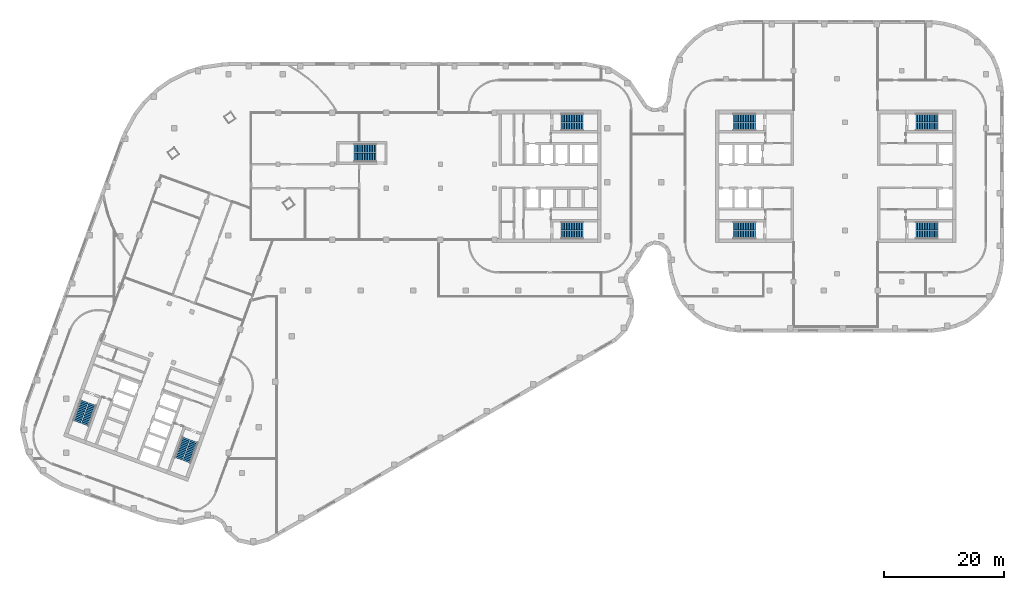
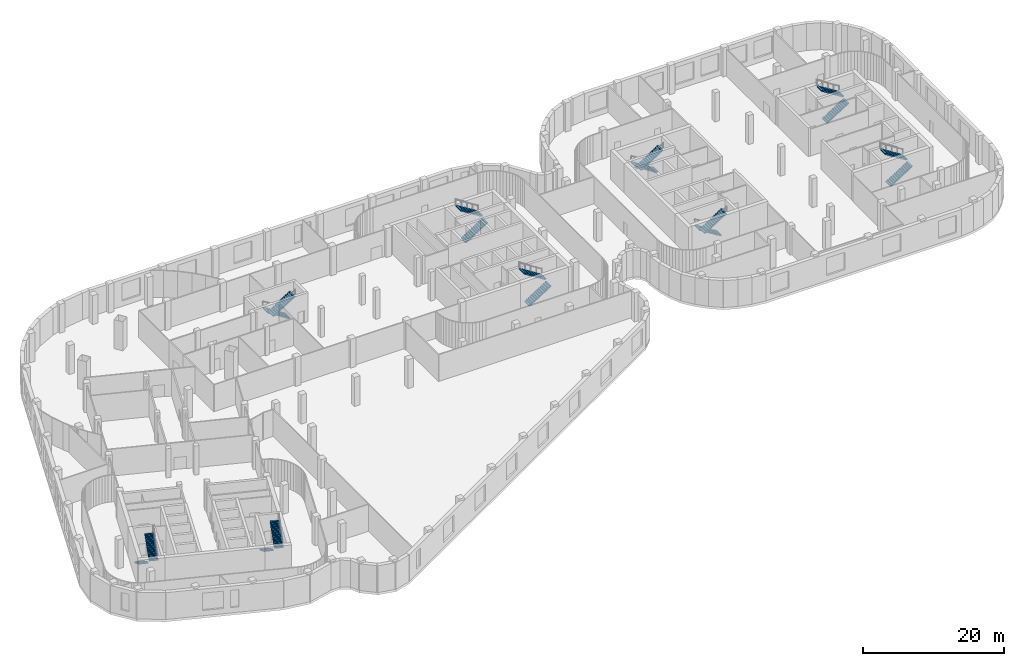
# One storey, part 16 of 18: 18 stair flights, 9 elements without a shape of their own.
"""IFC4 building model written with IfcOpenShell, lengths in metres."""

from ifc_helpers import new_model, si_unit, direction, frame, origin, place, context, subcontext, project, spatial, polyline, outline, extrude, material, type_object, element, aggregate, save


model = new_model("IFC4")

# Units and contexts
model_context = context("Model", 3, precision=1e-05, world=origin(), true_north=direction((0.0, 1.0)))
body_context = subcontext(model_context, "Body", "Model", "MODEL_VIEW")
ifc_project = project(units=[si_unit("LENGTHUNIT", "METRE"), si_unit("AREAUNIT", "SQUARE_METRE"), si_unit("VOLUMEUNIT", "CUBIC_METRE"), si_unit("PLANEANGLEUNIT", "RADIAN"), si_unit("MASSUNIT", "GRAM", prefix="KILO")], contexts=[model_context])

# Site, building, storey
site_placement = place(None, origin())
site = spatial("IfcSite", under=ifc_project, at=site_placement, CompositionType="ELEMENT")
building_placement = place(site_placement, origin())
building = spatial("IfcBuilding", under=site, at=building_placement, Name="Skarvind Civic Tower", CompositionType="ELEMENT")
storey_placement = place(building_placement, frame((0.0, 0.0, 22.5)))
storey = spatial("IfcBuildingStorey", under=building, at=storey_placement, Name="L04", CompositionType="ELEMENT", Elevation=22.5)

# Stair, stair flights
ifc_material = material(Name="Concrete C40/50", Category="concrete")
stair_type_1 = type_object("IfcStairType", Name="Exit stair 1450, half-turn, concrete", PredefinedType="HALF_TURN_STAIR", material=ifc_material)
stair_1_placement = place(storey_placement, origin())
stair_1 = element("IfcStair", 1, at=stair_1_placement, inside=storey, type_object=stair_type_1, Name="Exit stair CM", PredefinedType="HALF_TURN_STAIR")
stair_flight_type_1 = type_object("IfcStairFlightType", Name="Stair flight 1450, concrete", PredefinedType="STRAIGHT", material=ifc_material)
stair_flight_1_placement = place(storey_placement, frame((70.550048828125, 132.675048828125, 0.0), z_axis=(0.0, 0.0, 1.0), x_axis=(-1.0, 0.0, 0.0)))
stair_flight_1 = element("IfcStairFlight", 2, at=stair_flight_1_placement, type_object=stair_flight_type_1, Name="ST-CM flight 1", NumberOfRisers=14, NumberOfTreads=13, PredefinedType="STRAIGHT", RiserHeight=0.178571429, TreadLength=0.28, context=body_context, shape_type="SweptSolid", body=[
    extrude(outline(polyline([(0.0, 0.0), (0.0, 0.178466796875), (0.280029296875, 0.178466796875), (0.280029296875, 0.357177734375), (0.56005859375, 0.357177734375), (0.56005859375, 0.53564453125), (0.840087890625, 0.53564453125), (0.840087890625, 0.71435546875), (1.1201171875, 0.71435546875), (1.1201171875, 0.892822265625), (1.39990234375, 0.892822265625), (1.39990234375, 1.071533203125), (1.679931640625, 1.071533203125), (1.679931640625, 1.25), (1.9599609375, 1.25), (1.9599609375, 1.428466796875), (2.239990234375, 1.428466796875), (2.239990234375, 1.607177734375), (2.52001953125, 1.607177734375), (2.52001953125, 1.78564453125), (2.800048828125, 1.78564453125), (2.800048828125, 1.96435546875), (3.080078125, 1.96435546875), (3.080078125, 2.142822265625), (3.360107421875, 2.142822265625), (3.360107421875, 2.321533203125), (3.639892578125, 2.321533203125), (3.639892578125, 2.5), (3.639892578125, 2.1435546875), (0.27880859375, 0.0), (0.0, 0.0)])), frame((0.0, 0.72509765625, 0.0), z_axis=(0.0, -1.0, 0.0), x_axis=(1.0, 0.0, 0.0)), (0.0, 0.0, 1.0), 1.449951171875),
])
stair_flight_2_placement = place(storey_placement, frame((66.909912109375, 131.125, 2.5), z_axis=(0.0, 0.0, 1.0), x_axis=(1.0, 0.0, 0.0)))
stair_flight_2 = element("IfcStairFlight", 3, at=stair_flight_2_placement, type_object=stair_flight_type_1, Name="ST-CM flight 2", NumberOfRisers=14, NumberOfTreads=13, PredefinedType="STRAIGHT", RiserHeight=0.178571429, TreadLength=0.28, context=body_context, shape_type="SweptSolid", body=[
    extrude(outline(polyline([(0.0, 0.0), (0.0, 0.178466796875), (0.280029296875, 0.178466796875), (0.280029296875, 0.357177734375), (0.56005859375, 0.357177734375), (0.56005859375, 0.53564453125), (0.840087890625, 0.53564453125), (0.840087890625, 0.71435546875), (1.1201171875, 0.71435546875), (1.1201171875, 0.892822265625), (1.39990234375, 0.892822265625), (1.39990234375, 1.071533203125), (1.679931640625, 1.071533203125), (1.679931640625, 1.25), (1.9599609375, 1.25), (1.9599609375, 1.428466796875), (2.239990234375, 1.428466796875), (2.239990234375, 1.607177734375), (2.52001953125, 1.607177734375), (2.52001953125, 1.78564453125), (2.800048828125, 1.78564453125), (2.800048828125, 1.96435546875), (3.080078125, 1.96435546875), (3.080078125, 2.142822265625), (3.360107421875, 2.142822265625), (3.360107421875, 2.321533203125), (3.639892578125, 2.321533203125), (3.639892578125, 2.5), (3.639892578125, 2.1435546875), (0.27880859375, 0.0), (0.0, 0.0)])), frame((0.0, 0.72509765625, 0.0), z_axis=(0.0, -1.0, 0.0), x_axis=(1.0, 0.0, 0.0)), (0.0, 0.0, 1.0), 1.449951171875),
])
aggregate(stair_1, [stair_flight_1, stair_flight_2])

stair_type_2 = type_object("IfcStairType", Name="Exit stair, half-turn, concrete", PredefinedType="HALF_TURN_STAIR", material=ifc_material)
stair_2_placement = place(storey_placement, origin())
stair_2 = element("IfcStair", 4, at=stair_2_placement, inside=storey, type_object=stair_type_2, Name="Exit stair C1S", PredefinedType="HALF_TURN_STAIR")
stair_flight_type_2 = type_object("IfcStairFlightType", Name="Stair flight, concrete", PredefinedType="STRAIGHT", material=ifc_material)
stair_flight_3_placement = place(storey_placement, frame((101.35009765625, 136.27490234375, 0.0), z_axis=(0.0, 0.0, 1.0), x_axis=(1.0, 0.0, 0.0)))
stair_flight_3 = element("IfcStairFlight", 5, at=stair_flight_3_placement, type_object=stair_flight_type_2, Name="ST-C1S flight 1", NumberOfRisers=14, NumberOfTreads=13, PredefinedType="STRAIGHT", RiserHeight=0.178571429, TreadLength=0.28, context=body_context, shape_type="SweptSolid", body=[
    extrude(outline(polyline([(0.0, 0.0), (0.0, 0.178466796875), (0.280029296875, 0.178466796875), (0.280029296875, 0.357177734375), (0.56005859375, 0.357177734375), (0.56005859375, 0.53564453125), (0.840087890625, 0.53564453125), (0.840087890625, 0.71435546875), (1.1201171875, 0.71435546875), (1.1201171875, 0.892822265625), (1.39990234375, 0.892822265625), (1.39990234375, 1.071533203125), (1.679931640625, 1.071533203125), (1.679931640625, 1.25), (1.9599609375, 1.25), (1.9599609375, 1.428466796875), (2.239990234375, 1.428466796875), (2.239990234375, 1.607177734375), (2.52001953125, 1.607177734375), (2.52001953125, 1.78564453125), (2.800048828125, 1.78564453125), (2.800048828125, 1.96435546875), (3.080078125, 1.96435546875), (3.080078125, 2.142822265625), (3.360107421875, 2.142822265625), (3.360107421875, 2.321533203125), (3.639892578125, 2.321533203125), (3.639892578125, 2.5), (3.639892578125, 2.1435546875), (0.27880859375, 0.0), (0.0, 0.0)])), frame((0.0, 0.675048828125, 0.0), z_axis=(0.0, -1.0, 0.0), x_axis=(1.0, 0.0, 0.0)), (0.0, 0.0, 1.0), 1.35009765625),
])
stair_flight_4_placement = place(storey_placement, frame((104.989990234375, 137.72509765625, 2.5), z_axis=(0.0, 0.0, 1.0), x_axis=(-1.0, 0.0, 0.0)))
stair_flight_4 = element("IfcStairFlight", 6, at=stair_flight_4_placement, type_object=stair_flight_type_2, Name="ST-C1S flight 2", NumberOfRisers=14, NumberOfTreads=13, PredefinedType="STRAIGHT", RiserHeight=0.178571429, TreadLength=0.28, context=body_context, shape_type="SweptSolid", body=[
    extrude(outline(polyline([(0.0, 0.0), (0.0, 0.178466796875), (0.280029296875, 0.178466796875), (0.280029296875, 0.357177734375), (0.56005859375, 0.357177734375), (0.56005859375, 0.53564453125), (0.840087890625, 0.53564453125), (0.840087890625, 0.71435546875), (1.1201171875, 0.71435546875), (1.1201171875, 0.892822265625), (1.39990234375, 0.892822265625), (1.39990234375, 1.071533203125), (1.679931640625, 1.071533203125), (1.679931640625, 1.25), (1.9599609375, 1.25), (1.9599609375, 1.428466796875), (2.239990234375, 1.428466796875), (2.239990234375, 1.607177734375), (2.52001953125, 1.607177734375), (2.52001953125, 1.78564453125), (2.800048828125, 1.78564453125), (2.800048828125, 1.96435546875), (3.080078125, 1.96435546875), (3.080078125, 2.142822265625), (3.360107421875, 2.142822265625), (3.360107421875, 2.321533203125), (3.639892578125, 2.321533203125), (3.639892578125, 2.5), (3.639892578125, 2.1435546875), (0.27880859375, 0.0), (0.0, 0.0)])), frame((0.0, 0.675048828125, 0.0), z_axis=(0.0, -1.0, 0.0), x_axis=(1.0, 0.0, 0.0)), (0.0, 0.0, 1.0), 1.35009765625),
])
aggregate(stair_2, [stair_flight_3, stair_flight_4])

stair_3_placement = place(storey_placement, origin())
stair_3 = element("IfcStair", 7, at=stair_3_placement, inside=storey, type_object=stair_type_2, Name="Exit stair C1N", PredefinedType="HALF_TURN_STAIR")
stair_flight_5_placement = place(storey_placement, frame((101.35009765625, 118.27490234375, 0.0), z_axis=(0.0, 0.0, 1.0), x_axis=(1.0, 0.0, 0.0)))
stair_flight_5 = element("IfcStairFlight", 8, at=stair_flight_5_placement, type_object=stair_flight_type_2, Name="ST-C1N flight 1", NumberOfRisers=14, NumberOfTreads=13, PredefinedType="STRAIGHT", RiserHeight=0.178571429, TreadLength=0.28, context=body_context, shape_type="SweptSolid", body=[
    extrude(outline(polyline([(0.0, 0.0), (0.0, 0.178466796875), (0.280029296875, 0.178466796875), (0.280029296875, 0.357177734375), (0.56005859375, 0.357177734375), (0.56005859375, 0.53564453125), (0.840087890625, 0.53564453125), (0.840087890625, 0.71435546875), (1.1201171875, 0.71435546875), (1.1201171875, 0.892822265625), (1.39990234375, 0.892822265625), (1.39990234375, 1.071533203125), (1.679931640625, 1.071533203125), (1.679931640625, 1.25), (1.9599609375, 1.25), (1.9599609375, 1.428466796875), (2.239990234375, 1.428466796875), (2.239990234375, 1.607177734375), (2.52001953125, 1.607177734375), (2.52001953125, 1.78564453125), (2.800048828125, 1.78564453125), (2.800048828125, 1.96435546875), (3.080078125, 1.96435546875), (3.080078125, 2.142822265625), (3.360107421875, 2.142822265625), (3.360107421875, 2.321533203125), (3.639892578125, 2.321533203125), (3.639892578125, 2.5), (3.639892578125, 2.1435546875), (0.27880859375, 0.0), (0.0, 0.0)])), frame((0.0, 0.675048828125, 0.0), z_axis=(0.0, -1.0, 0.0), x_axis=(1.0, 0.0, 0.0)), (0.0, 0.0, 1.0), 1.35009765625),
])
stair_flight_6_placement = place(storey_placement, frame((104.989990234375, 119.72509765625, 2.5), z_axis=(0.0, 0.0, 1.0), x_axis=(-1.0, 0.0, 0.0)))
stair_flight_6 = element("IfcStairFlight", 9, at=stair_flight_6_placement, type_object=stair_flight_type_2, Name="ST-C1N flight 2", NumberOfRisers=14, NumberOfTreads=13, PredefinedType="STRAIGHT", RiserHeight=0.178571429, TreadLength=0.28, context=body_context, shape_type="SweptSolid", body=[
    extrude(outline(polyline([(0.0, 0.0), (0.0, 0.178466796875), (0.280029296875, 0.178466796875), (0.280029296875, 0.357177734375), (0.56005859375, 0.357177734375), (0.56005859375, 0.53564453125), (0.840087890625, 0.53564453125), (0.840087890625, 0.71435546875), (1.1201171875, 0.71435546875), (1.1201171875, 0.892822265625), (1.39990234375, 0.892822265625), (1.39990234375, 1.071533203125), (1.679931640625, 1.071533203125), (1.679931640625, 1.25), (1.9599609375, 1.25), (1.9599609375, 1.428466796875), (2.239990234375, 1.428466796875), (2.239990234375, 1.607177734375), (2.52001953125, 1.607177734375), (2.52001953125, 1.78564453125), (2.800048828125, 1.78564453125), (2.800048828125, 1.96435546875), (3.080078125, 1.96435546875), (3.080078125, 2.142822265625), (3.360107421875, 2.142822265625), (3.360107421875, 2.321533203125), (3.639892578125, 2.321533203125), (3.639892578125, 2.5), (3.639892578125, 2.1435546875), (0.27880859375, 0.0), (0.0, 0.0)])), frame((0.0, 0.675048828125, 0.0), z_axis=(0.0, -1.0, 0.0), x_axis=(1.0, 0.0, 0.0)), (0.0, 0.0, 1.0), 1.35009765625),
])
aggregate(stair_3, [stair_flight_5, stair_flight_6])

stair_4_placement = place(storey_placement, origin())
stair_4 = element("IfcStair", 10, at=stair_4_placement, inside=storey, type_object=stair_type_2, Name="Exit stair C2S", PredefinedType="HALF_TURN_STAIR")
stair_flight_7_placement = place(storey_placement, frame((38.949462890625, 84.43408203125, 0.0), z_axis=(0.0, 0.0, 1.0), x_axis=(-0.342020143326, -0.939692620786, 0.0)))
stair_flight_7 = element("IfcStairFlight", 11, at=stair_flight_7_placement, type_object=stair_flight_type_2, Name="ST-C2S flight 1", NumberOfRisers=14, NumberOfTreads=13, PredefinedType="STRAIGHT", RiserHeight=0.178571429, TreadLength=0.28, context=body_context, shape_type="SweptSolid", body=[
    extrude(outline(polyline([(0.0, 0.0), (0.0, 0.178466796875), (0.280029296875, 0.178466796875), (0.280029296875, 0.357177734375), (0.56005859375, 0.357177734375), (0.56005859375, 0.53564453125), (0.840087890625, 0.53564453125), (0.840087890625, 0.71435546875), (1.1201171875, 0.71435546875), (1.1201171875, 0.892822265625), (1.39990234375, 0.892822265625), (1.39990234375, 1.071533203125), (1.679931640625, 1.071533203125), (1.679931640625, 1.25), (1.9599609375, 1.25), (1.9599609375, 1.428466796875), (2.239990234375, 1.428466796875), (2.239990234375, 1.607177734375), (2.52001953125, 1.607177734375), (2.52001953125, 1.78564453125), (2.800048828125, 1.78564453125), (2.800048828125, 1.96435546875), (3.080078125, 1.96435546875), (3.080078125, 2.142822265625), (3.360107421875, 2.142822265625), (3.360107421875, 2.321533203125), (3.639892578125, 2.321533203125), (3.639892578125, 2.5), (3.639892578125, 2.1435546875), (0.27880859375, 0.0), (0.0, 0.0)])), frame((0.0, 0.675048828125, 0.0), z_axis=(0.0, -1.0, 0.0), x_axis=(1.0, 0.0, 0.0)), (0.0, 0.0, 1.0), 1.35009765625),
])
stair_flight_8_placement = place(storey_placement, frame((39.06689453125, 80.517578125, 2.5), z_axis=(0.0, 0.0, 1.0), x_axis=(0.342020143326, 0.939692620786, 0.0)))
stair_flight_8 = element("IfcStairFlight", 12, at=stair_flight_8_placement, type_object=stair_flight_type_2, Name="ST-C2S flight 2", NumberOfRisers=14, NumberOfTreads=13, PredefinedType="STRAIGHT", RiserHeight=0.178571429, TreadLength=0.28, context=body_context, shape_type="SweptSolid", body=[
    extrude(outline(polyline([(0.0, 0.0), (0.0, 0.178466796875), (0.280029296875, 0.178466796875), (0.280029296875, 0.357177734375), (0.56005859375, 0.357177734375), (0.56005859375, 0.53564453125), (0.840087890625, 0.53564453125), (0.840087890625, 0.71435546875), (1.1201171875, 0.71435546875), (1.1201171875, 0.892822265625), (1.39990234375, 0.892822265625), (1.39990234375, 1.071533203125), (1.679931640625, 1.071533203125), (1.679931640625, 1.25), (1.9599609375, 1.25), (1.9599609375, 1.428466796875), (2.239990234375, 1.428466796875), (2.239990234375, 1.607177734375), (2.52001953125, 1.607177734375), (2.52001953125, 1.78564453125), (2.800048828125, 1.78564453125), (2.800048828125, 1.96435546875), (3.080078125, 1.96435546875), (3.080078125, 2.142822265625), (3.360107421875, 2.142822265625), (3.360107421875, 2.321533203125), (3.639892578125, 2.321533203125), (3.639892578125, 2.5), (3.639892578125, 2.1435546875), (0.27880859375, 0.0), (0.0, 0.0)])), frame((0.0, 0.675048828125, 0.0), z_axis=(0.0, -1.0, 0.0), x_axis=(1.0, 0.0, 0.0)), (0.0, 0.0, 1.0), 1.35009765625),
])
aggregate(stair_4, [stair_flight_7, stair_flight_8])

stair_5_placement = place(storey_placement, origin())
stair_5 = element("IfcStair", 13, at=stair_5_placement, inside=storey, type_object=stair_type_2, Name="Exit stair C2N", PredefinedType="HALF_TURN_STAIR")
stair_flight_9_placement = place(storey_placement, frame((22.034912109375, 90.590576171875, 0.0), z_axis=(0.0, 0.0, 1.0), x_axis=(-0.342020143326, -0.939692620786, 0.0)))
stair_flight_9 = element("IfcStairFlight", 14, at=stair_flight_9_placement, type_object=stair_flight_type_2, Name="ST-C2N flight 1", NumberOfRisers=14, NumberOfTreads=13, PredefinedType="STRAIGHT", RiserHeight=0.178571429, TreadLength=0.28, context=body_context, shape_type="SweptSolid", body=[
    extrude(outline(polyline([(0.0, 0.0), (0.0, 0.178466796875), (0.280029296875, 0.178466796875), (0.280029296875, 0.357177734375), (0.56005859375, 0.357177734375), (0.56005859375, 0.53564453125), (0.840087890625, 0.53564453125), (0.840087890625, 0.71435546875), (1.1201171875, 0.71435546875), (1.1201171875, 0.892822265625), (1.39990234375, 0.892822265625), (1.39990234375, 1.071533203125), (1.679931640625, 1.071533203125), (1.679931640625, 1.25), (1.9599609375, 1.25), (1.9599609375, 1.428466796875), (2.239990234375, 1.428466796875), (2.239990234375, 1.607177734375), (2.52001953125, 1.607177734375), (2.52001953125, 1.78564453125), (2.800048828125, 1.78564453125), (2.800048828125, 1.96435546875), (3.080078125, 1.96435546875), (3.080078125, 2.142822265625), (3.360107421875, 2.142822265625), (3.360107421875, 2.321533203125), (3.639892578125, 2.321533203125), (3.639892578125, 2.5), (3.639892578125, 2.1435546875), (0.27880859375, 0.0), (0.0, 0.0)])), frame((0.0, 0.675048828125, 0.0), z_axis=(0.0, -1.0, 0.0), x_axis=(1.0, 0.0, 0.0)), (0.0, 0.0, 1.0), 1.35009765625),
])
stair_flight_10_placement = place(storey_placement, frame((22.152587890625, 86.674072265625, 2.5), z_axis=(0.0, 0.0, 1.0), x_axis=(0.342020143326, 0.939692620786, 0.0)))
stair_flight_10 = element("IfcStairFlight", 15, at=stair_flight_10_placement, type_object=stair_flight_type_2, Name="ST-C2N flight 2", NumberOfRisers=14, NumberOfTreads=13, PredefinedType="STRAIGHT", RiserHeight=0.178571429, TreadLength=0.28, context=body_context, shape_type="SweptSolid", body=[
    extrude(outline(polyline([(0.0, 0.0), (0.0, 0.178466796875), (0.280029296875, 0.178466796875), (0.280029296875, 0.357177734375), (0.56005859375, 0.357177734375), (0.56005859375, 0.53564453125), (0.840087890625, 0.53564453125), (0.840087890625, 0.71435546875), (1.1201171875, 0.71435546875), (1.1201171875, 0.892822265625), (1.39990234375, 0.892822265625), (1.39990234375, 1.071533203125), (1.679931640625, 1.071533203125), (1.679931640625, 1.25), (1.9599609375, 1.25), (1.9599609375, 1.428466796875), (2.239990234375, 1.428466796875), (2.239990234375, 1.607177734375), (2.52001953125, 1.607177734375), (2.52001953125, 1.78564453125), (2.800048828125, 1.78564453125), (2.800048828125, 1.96435546875), (3.080078125, 1.96435546875), (3.080078125, 2.142822265625), (3.360107421875, 2.142822265625), (3.360107421875, 2.321533203125), (3.639892578125, 2.321533203125), (3.639892578125, 2.5), (3.639892578125, 2.1435546875), (0.27880859375, 0.0), (0.0, 0.0)])), frame((0.0, 0.675048828125, 0.0), z_axis=(0.0, -1.0, 0.0), x_axis=(1.0, 0.0, 0.0)), (0.0, 0.0, 1.0), 1.35009765625),
])
aggregate(stair_5, [stair_flight_9, stair_flight_10])

stair_6_placement = place(storey_placement, origin())
stair_6 = element("IfcStair", 16, at=stair_6_placement, inside=storey, type_object=stair_type_2, Name="Exit stair CAS", PredefinedType="HALF_TURN_STAIR")
stair_flight_11_placement = place(storey_placement, frame((133.64990234375, 119.72509765625, 0.0), z_axis=(0.0, 0.0, 1.0), x_axis=(-1.0, 0.0, 0.0)))
stair_flight_11 = element("IfcStairFlight", 17, at=stair_flight_11_placement, type_object=stair_flight_type_2, Name="ST-CAS flight 1", NumberOfRisers=14, NumberOfTreads=13, PredefinedType="STRAIGHT", RiserHeight=0.178571429, TreadLength=0.28, context=body_context, shape_type="SweptSolid", body=[
    extrude(outline(polyline([(0.0, 0.0), (0.0, 0.178466796875), (0.280029296875, 0.178466796875), (0.280029296875, 0.357177734375), (0.56005859375, 0.357177734375), (0.56005859375, 0.53564453125), (0.840087890625, 0.53564453125), (0.840087890625, 0.71435546875), (1.1201171875, 0.71435546875), (1.1201171875, 0.892822265625), (1.39990234375, 0.892822265625), (1.39990234375, 1.071533203125), (1.679931640625, 1.071533203125), (1.679931640625, 1.25), (1.9599609375, 1.25), (1.9599609375, 1.428466796875), (2.239990234375, 1.428466796875), (2.239990234375, 1.607177734375), (2.52001953125, 1.607177734375), (2.52001953125, 1.78564453125), (2.800048828125, 1.78564453125), (2.800048828125, 1.96435546875), (3.080078125, 1.96435546875), (3.080078125, 2.142822265625), (3.360107421875, 2.142822265625), (3.360107421875, 2.321533203125), (3.639892578125, 2.321533203125), (3.639892578125, 2.5), (3.639892578125, 2.1435546875), (0.27880859375, 0.0), (0.0, 0.0)])), frame((0.0, 0.675048828125, 0.0), z_axis=(0.0, -1.0, 0.0), x_axis=(1.0, 0.0, 0.0)), (0.0, 0.0, 1.0), 1.35009765625),
])
stair_flight_12_placement = place(storey_placement, frame((130.010009765625, 118.27490234375, 2.5), z_axis=(0.0, 0.0, 1.0), x_axis=(1.0, 0.0, 0.0)))
stair_flight_12 = element("IfcStairFlight", 18, at=stair_flight_12_placement, type_object=stair_flight_type_2, Name="ST-CAS flight 2", NumberOfRisers=14, NumberOfTreads=13, PredefinedType="STRAIGHT", RiserHeight=0.178571429, TreadLength=0.28, context=body_context, shape_type="SweptSolid", body=[
    extrude(outline(polyline([(0.0, 0.0), (0.0, 0.178466796875), (0.280029296875, 0.178466796875), (0.280029296875, 0.357177734375), (0.56005859375, 0.357177734375), (0.56005859375, 0.53564453125), (0.840087890625, 0.53564453125), (0.840087890625, 0.71435546875), (1.1201171875, 0.71435546875), (1.1201171875, 0.892822265625), (1.39990234375, 0.892822265625), (1.39990234375, 1.071533203125), (1.679931640625, 1.071533203125), (1.679931640625, 1.25), (1.9599609375, 1.25), (1.9599609375, 1.428466796875), (2.239990234375, 1.428466796875), (2.239990234375, 1.607177734375), (2.52001953125, 1.607177734375), (2.52001953125, 1.78564453125), (2.800048828125, 1.78564453125), (2.800048828125, 1.96435546875), (3.080078125, 1.96435546875), (3.080078125, 2.142822265625), (3.360107421875, 2.142822265625), (3.360107421875, 2.321533203125), (3.639892578125, 2.321533203125), (3.639892578125, 2.5), (3.639892578125, 2.1435546875), (0.27880859375, 0.0), (0.0, 0.0)])), frame((0.0, 0.675048828125, 0.0), z_axis=(0.0, -1.0, 0.0), x_axis=(1.0, 0.0, 0.0)), (0.0, 0.0, 1.0), 1.35009765625),
])
aggregate(stair_6, [stair_flight_11, stair_flight_12])

stair_7_placement = place(storey_placement, origin())
stair_7 = element("IfcStair", 19, at=stair_7_placement, inside=storey, type_object=stair_type_2, Name="Exit stair CAN", PredefinedType="HALF_TURN_STAIR")
stair_flight_13_placement = place(storey_placement, frame((133.64990234375, 137.72509765625, 0.0), z_axis=(0.0, 0.0, 1.0), x_axis=(-1.0, 0.0, 0.0)))
stair_flight_13 = element("IfcStairFlight", 20, at=stair_flight_13_placement, type_object=stair_flight_type_2, Name="ST-CAN flight 1", NumberOfRisers=14, NumberOfTreads=13, PredefinedType="STRAIGHT", RiserHeight=0.178571429, TreadLength=0.28, context=body_context, shape_type="SweptSolid", body=[
    extrude(outline(polyline([(0.0, 0.0), (0.0, 0.178466796875), (0.280029296875, 0.178466796875), (0.280029296875, 0.357177734375), (0.56005859375, 0.357177734375), (0.56005859375, 0.53564453125), (0.840087890625, 0.53564453125), (0.840087890625, 0.71435546875), (1.1201171875, 0.71435546875), (1.1201171875, 0.892822265625), (1.39990234375, 0.892822265625), (1.39990234375, 1.071533203125), (1.679931640625, 1.071533203125), (1.679931640625, 1.25), (1.9599609375, 1.25), (1.9599609375, 1.428466796875), (2.239990234375, 1.428466796875), (2.239990234375, 1.607177734375), (2.52001953125, 1.607177734375), (2.52001953125, 1.78564453125), (2.800048828125, 1.78564453125), (2.800048828125, 1.96435546875), (3.080078125, 1.96435546875), (3.080078125, 2.142822265625), (3.360107421875, 2.142822265625), (3.360107421875, 2.321533203125), (3.639892578125, 2.321533203125), (3.639892578125, 2.5), (3.639892578125, 2.1435546875), (0.27880859375, 0.0), (0.0, 0.0)])), frame((0.0, 0.675048828125, 0.0), z_axis=(0.0, -1.0, 0.0), x_axis=(1.0, 0.0, 0.0)), (0.0, 0.0, 1.0), 1.35009765625),
])
stair_flight_14_placement = place(storey_placement, frame((130.010009765625, 136.27490234375, 2.5), z_axis=(0.0, 0.0, 1.0), x_axis=(1.0, 0.0, 0.0)))
stair_flight_14 = element("IfcStairFlight", 21, at=stair_flight_14_placement, type_object=stair_flight_type_2, Name="ST-CAN flight 2", NumberOfRisers=14, NumberOfTreads=13, PredefinedType="STRAIGHT", RiserHeight=0.178571429, TreadLength=0.28, context=body_context, shape_type="SweptSolid", body=[
    extrude(outline(polyline([(0.0, 0.0), (0.0, 0.178466796875), (0.280029296875, 0.178466796875), (0.280029296875, 0.357177734375), (0.56005859375, 0.357177734375), (0.56005859375, 0.53564453125), (0.840087890625, 0.53564453125), (0.840087890625, 0.71435546875), (1.1201171875, 0.71435546875), (1.1201171875, 0.892822265625), (1.39990234375, 0.892822265625), (1.39990234375, 1.071533203125), (1.679931640625, 1.071533203125), (1.679931640625, 1.25), (1.9599609375, 1.25), (1.9599609375, 1.428466796875), (2.239990234375, 1.428466796875), (2.239990234375, 1.607177734375), (2.52001953125, 1.607177734375), (2.52001953125, 1.78564453125), (2.800048828125, 1.78564453125), (2.800048828125, 1.96435546875), (3.080078125, 1.96435546875), (3.080078125, 2.142822265625), (3.360107421875, 2.142822265625), (3.360107421875, 2.321533203125), (3.639892578125, 2.321533203125), (3.639892578125, 2.5), (3.639892578125, 2.1435546875), (0.27880859375, 0.0), (0.0, 0.0)])), frame((0.0, 0.675048828125, 0.0), z_axis=(0.0, -1.0, 0.0), x_axis=(1.0, 0.0, 0.0)), (0.0, 0.0, 1.0), 1.35009765625),
])
aggregate(stair_7, [stair_flight_13, stair_flight_14])

stair_8_placement = place(storey_placement, origin())
stair_8 = element("IfcStair", 22, at=stair_8_placement, inside=storey, type_object=stair_type_2, Name="Exit stair CBS", PredefinedType="HALF_TURN_STAIR")
stair_flight_15_placement = place(storey_placement, frame((160.35009765625, 136.27490234375, 0.0), z_axis=(0.0, 0.0, 1.0), x_axis=(1.0, 0.0, 0.0)))
stair_flight_15 = element("IfcStairFlight", 23, at=stair_flight_15_placement, type_object=stair_flight_type_2, Name="ST-CBS flight 1", NumberOfRisers=14, NumberOfTreads=13, PredefinedType="STRAIGHT", RiserHeight=0.178571429, TreadLength=0.28, context=body_context, shape_type="SweptSolid", body=[
    extrude(outline(polyline([(0.0, 0.0), (0.0, 0.178466796875), (0.280029296875, 0.178466796875), (0.280029296875, 0.357177734375), (0.56005859375, 0.357177734375), (0.56005859375, 0.53564453125), (0.840087890625, 0.53564453125), (0.840087890625, 0.71435546875), (1.1201171875, 0.71435546875), (1.1201171875, 0.892822265625), (1.39990234375, 0.892822265625), (1.39990234375, 1.071533203125), (1.679931640625, 1.071533203125), (1.679931640625, 1.25), (1.9599609375, 1.25), (1.9599609375, 1.428466796875), (2.239990234375, 1.428466796875), (2.239990234375, 1.607177734375), (2.52001953125, 1.607177734375), (2.52001953125, 1.78564453125), (2.800048828125, 1.78564453125), (2.800048828125, 1.96435546875), (3.080078125, 1.96435546875), (3.080078125, 2.142822265625), (3.360107421875, 2.142822265625), (3.360107421875, 2.321533203125), (3.639892578125, 2.321533203125), (3.639892578125, 2.5), (3.639892578125, 2.1435546875), (0.27880859375, 0.0), (0.0, 0.0)])), frame((0.0, 0.675048828125, 0.0), z_axis=(0.0, -1.0, 0.0), x_axis=(1.0, 0.0, 0.0)), (0.0, 0.0, 1.0), 1.35009765625),
])
stair_flight_16_placement = place(storey_placement, frame((163.989990234375, 137.72509765625, 2.5), z_axis=(0.0, 0.0, 1.0), x_axis=(-1.0, 0.0, 0.0)))
stair_flight_16 = element("IfcStairFlight", 24, at=stair_flight_16_placement, type_object=stair_flight_type_2, Name="ST-CBS flight 2", NumberOfRisers=14, NumberOfTreads=13, PredefinedType="STRAIGHT", RiserHeight=0.178571429, TreadLength=0.28, context=body_context, shape_type="SweptSolid", body=[
    extrude(outline(polyline([(0.0, 0.0), (0.0, 0.178466796875), (0.280029296875, 0.178466796875), (0.280029296875, 0.357177734375), (0.56005859375, 0.357177734375), (0.56005859375, 0.53564453125), (0.840087890625, 0.53564453125), (0.840087890625, 0.71435546875), (1.1201171875, 0.71435546875), (1.1201171875, 0.892822265625), (1.39990234375, 0.892822265625), (1.39990234375, 1.071533203125), (1.679931640625, 1.071533203125), (1.679931640625, 1.25), (1.9599609375, 1.25), (1.9599609375, 1.428466796875), (2.239990234375, 1.428466796875), (2.239990234375, 1.607177734375), (2.52001953125, 1.607177734375), (2.52001953125, 1.78564453125), (2.800048828125, 1.78564453125), (2.800048828125, 1.96435546875), (3.080078125, 1.96435546875), (3.080078125, 2.142822265625), (3.360107421875, 2.142822265625), (3.360107421875, 2.321533203125), (3.639892578125, 2.321533203125), (3.639892578125, 2.5), (3.639892578125, 2.1435546875), (0.27880859375, 0.0), (0.0, 0.0)])), frame((0.0, 0.675048828125, 0.0), z_axis=(0.0, -1.0, 0.0), x_axis=(1.0, 0.0, 0.0)), (0.0, 0.0, 1.0), 1.35009765625),
])
aggregate(stair_8, [stair_flight_15, stair_flight_16])

stair_9_placement = place(storey_placement, origin())
stair_9 = element("IfcStair", 25, at=stair_9_placement, inside=storey, type_object=stair_type_2, Name="Exit stair CBN", PredefinedType="HALF_TURN_STAIR")
stair_flight_17_placement = place(storey_placement, frame((160.35009765625, 118.27490234375, 0.0), z_axis=(0.0, 0.0, 1.0), x_axis=(1.0, 0.0, 0.0)))
stair_flight_17 = element("IfcStairFlight", 26, at=stair_flight_17_placement, type_object=stair_flight_type_2, Name="ST-CBN flight 1", NumberOfRisers=14, NumberOfTreads=13, PredefinedType="STRAIGHT", RiserHeight=0.178571429, TreadLength=0.28, context=body_context, shape_type="SweptSolid", body=[
    extrude(outline(polyline([(0.0, 0.0), (0.0, 0.178466796875), (0.280029296875, 0.178466796875), (0.280029296875, 0.357177734375), (0.56005859375, 0.357177734375), (0.56005859375, 0.53564453125), (0.840087890625, 0.53564453125), (0.840087890625, 0.71435546875), (1.1201171875, 0.71435546875), (1.1201171875, 0.892822265625), (1.39990234375, 0.892822265625), (1.39990234375, 1.071533203125), (1.679931640625, 1.071533203125), (1.679931640625, 1.25), (1.9599609375, 1.25), (1.9599609375, 1.428466796875), (2.239990234375, 1.428466796875), (2.239990234375, 1.607177734375), (2.52001953125, 1.607177734375), (2.52001953125, 1.78564453125), (2.800048828125, 1.78564453125), (2.800048828125, 1.96435546875), (3.080078125, 1.96435546875), (3.080078125, 2.142822265625), (3.360107421875, 2.142822265625), (3.360107421875, 2.321533203125), (3.639892578125, 2.321533203125), (3.639892578125, 2.5), (3.639892578125, 2.1435546875), (0.27880859375, 0.0), (0.0, 0.0)])), frame((0.0, 0.675048828125, 0.0), z_axis=(0.0, -1.0, 0.0), x_axis=(1.0, 0.0, 0.0)), (0.0, 0.0, 1.0), 1.35009765625),
])
stair_flight_18_placement = place(storey_placement, frame((163.989990234375, 119.72509765625, 2.5), z_axis=(0.0, 0.0, 1.0), x_axis=(-1.0, 0.0, 0.0)))
stair_flight_18 = element("IfcStairFlight", 27, at=stair_flight_18_placement, type_object=stair_flight_type_2, Name="ST-CBN flight 2", NumberOfRisers=14, NumberOfTreads=13, PredefinedType="STRAIGHT", RiserHeight=0.178571429, TreadLength=0.28, context=body_context, shape_type="SweptSolid", body=[
    extrude(outline(polyline([(0.0, 0.0), (0.0, 0.178466796875), (0.280029296875, 0.178466796875), (0.280029296875, 0.357177734375), (0.56005859375, 0.357177734375), (0.56005859375, 0.53564453125), (0.840087890625, 0.53564453125), (0.840087890625, 0.71435546875), (1.1201171875, 0.71435546875), (1.1201171875, 0.892822265625), (1.39990234375, 0.892822265625), (1.39990234375, 1.071533203125), (1.679931640625, 1.071533203125), (1.679931640625, 1.25), (1.9599609375, 1.25), (1.9599609375, 1.428466796875), (2.239990234375, 1.428466796875), (2.239990234375, 1.607177734375), (2.52001953125, 1.607177734375), (2.52001953125, 1.78564453125), (2.800048828125, 1.78564453125), (2.800048828125, 1.96435546875), (3.080078125, 1.96435546875), (3.080078125, 2.142822265625), (3.360107421875, 2.142822265625), (3.360107421875, 2.321533203125), (3.639892578125, 2.321533203125), (3.639892578125, 2.5), (3.639892578125, 2.1435546875), (0.27880859375, 0.0), (0.0, 0.0)])), frame((0.0, 0.675048828125, 0.0), z_axis=(0.0, -1.0, 0.0), x_axis=(1.0, 0.0, 0.0)), (0.0, 0.0, 1.0), 1.35009765625),
])
aggregate(stair_9, [stair_flight_17, stair_flight_18])

save(model, "model.ifc")
